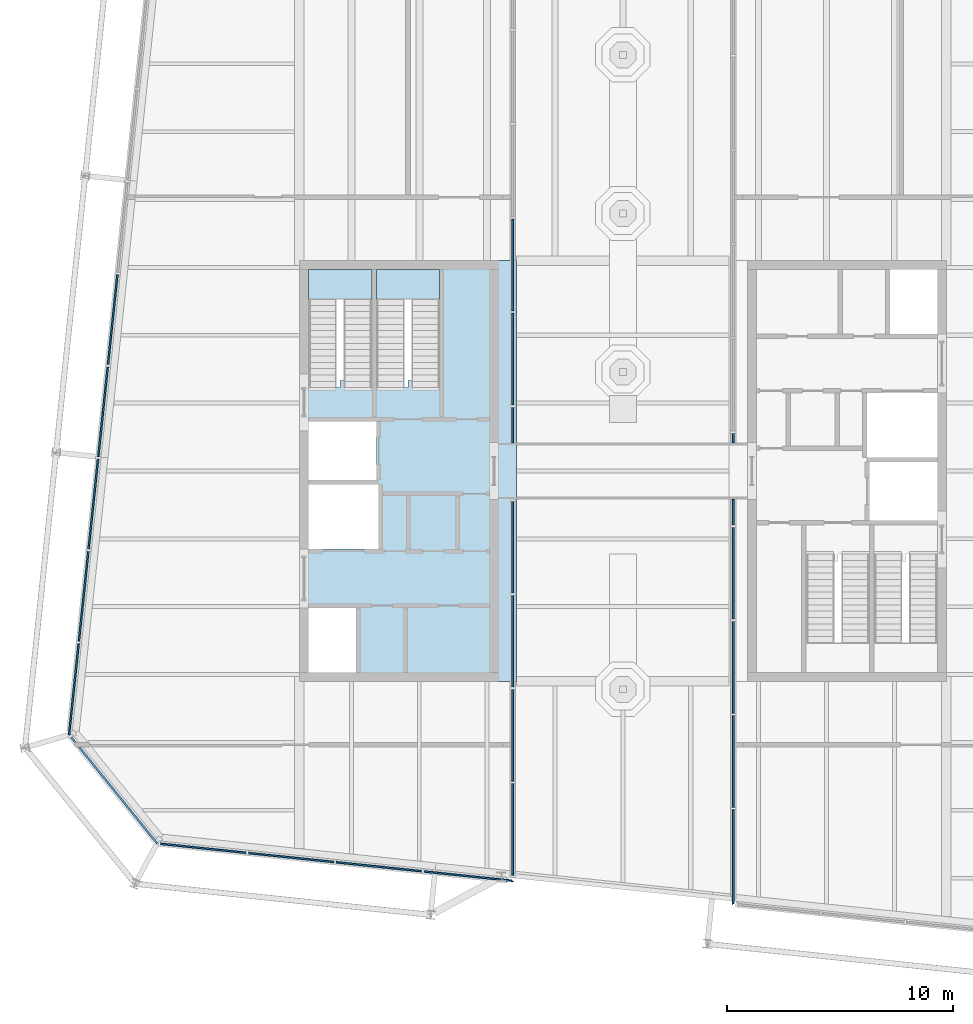
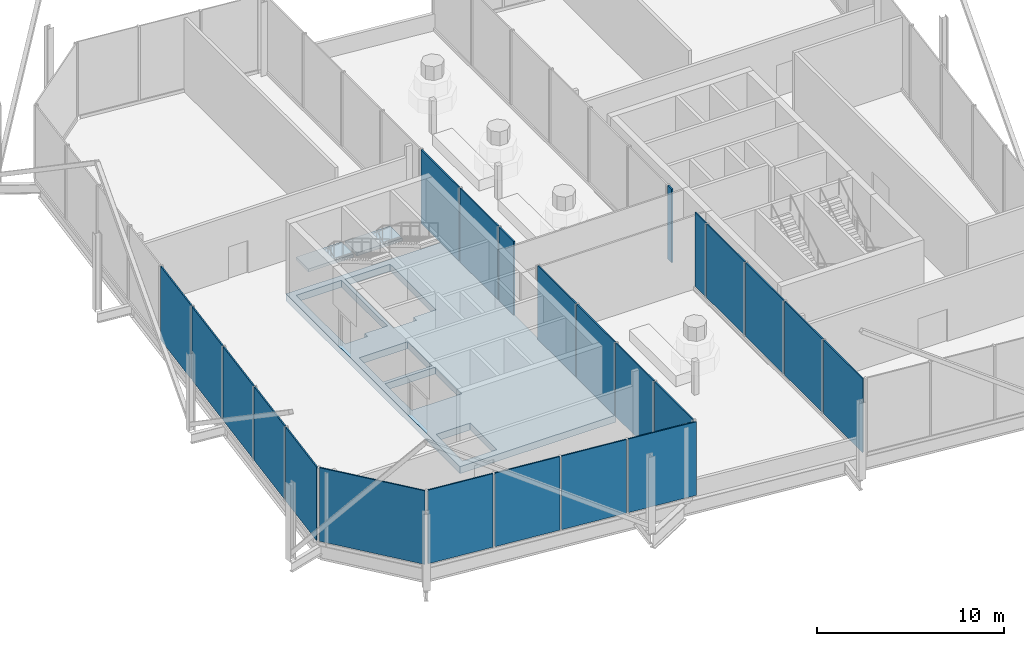
# One storey, part 8 of 14: 23 plates, 3 slabs, 7 elements without a shape of their own.
"""IFC4 building model written with IfcOpenShell, lengths in metres."""

import ifcopenshell
import ifcopenshell.guid

model = None  # the IFC model being written
_history = None  # IfcOwnerHistory: only IFC2X3 demands one
_inside = {}  # id of a spatial element -> (the spatial element, [elements in it])
_under = {}  # id of a project, library or spatial element -> (it, [spatial elements below it])
_declared = {}  # id of a project -> (the project, [libraries it declares])
_typed = {}  # id of a type object -> (the type object, [elements of that type])
_made_of = {}  # id of a material, layer set ... -> (it, [elements and type objects made of it])


def new_model(schema):
    """Start an empty IFC model of exactly this schema.

    Asked for "IFC4X3", IfcOpenShell would pick the latest addendum, in which some entities
    have other attributes; the version numbers below select the first issue.
    IFC2X3 requires an IfcOwnerHistory on every rooted entity: one is made here for all.
    """
    global model, _history
    if schema == "IFC4X3":
        model = ifcopenshell.file(schema_version=(4, 3, 0, 0))
    else:
        model = ifcopenshell.file(schema=schema)
    _inside.clear()
    _under.clear()
    _declared.clear()
    _typed.clear()
    _made_of.clear()
    _history = None
    if model.schema == "IFC2X3":
        org = make("IfcOrganization", Name="unknown")
        user = make(
            "IfcPersonAndOrganization",
            ThePerson=make("IfcPerson", FamilyName="unknown"),
            TheOrganization=org,
        )
        app = make(
            "IfcApplication",
            ApplicationDeveloper=org,
            Version="unknown",
            ApplicationFullName="unknown",
            ApplicationIdentifier="unknown",
        )
        _history = make(
            "IfcOwnerHistory",
            OwningUser=user,
            OwningApplication=app,
            ChangeAction="ADDED",
            CreationDate=0,
        )
    return model


def make(cls, **values):
    """One entity of the class cls with the attributes given. An attribute that is None is left unset."""
    return model.create_entity(
        cls, **{name: value for name, value in values.items() if value is not None}
    )


def rooted(cls, **values):
    """An entity with a GlobalId (a new one), such as an element, a storey or a relation."""
    return make(cls, GlobalId=ifcopenshell.guid.new(), OwnerHistory=_history, **values)


def si_unit(unit_type, name, prefix=None):
    """IfcSIUnit, for example si_unit("LENGTHUNIT", "METRE", prefix="MILLI")."""
    return make("IfcSIUnit", UnitType=unit_type, Prefix=prefix, Name=name)


def assignment(units):
    """IfcUnitAssignment: the units of a project."""
    return None if units is None else make("IfcUnitAssignment", Units=units)


def point(xyz):
    """IfcCartesianPoint."""
    return None if xyz is None else make("IfcCartesianPoint", Coordinates=xyz)


def direction(xyz):
    """IfcDirection."""
    return None if xyz is None else make("IfcDirection", DirectionRatios=xyz)


def frame(location, z_axis=None, x_axis=None):
    """IfcAxis2Placement3D, a coordinate frame: its origin and axes. An axis left out is left unset."""
    return make(
        "IfcAxis2Placement3D",
        Location=point(location),
        Axis=direction(z_axis),
        RefDirection=direction(x_axis),
    )


def origin():
    """The frame at (0, 0, 0) with its axes left unset."""
    return frame((0.0, 0.0, 0.0))


def place(relative_to, where):
    """IfcLocalPlacement: puts the frame where relative to a parent placement (None: the world)."""
    return make(
        "IfcLocalPlacement", PlacementRelTo=relative_to, RelativePlacement=where
    )


def context(
    kind, dimensions, precision=None, world=None, true_north=None, identifier=None
):
    """IfcGeometricRepresentationContext, for example the 3D "Model" context."""
    return make(
        "IfcGeometricRepresentationContext",
        ContextIdentifier=identifier,
        ContextType=kind,
        CoordinateSpaceDimension=dimensions,
        Precision=precision,
        WorldCoordinateSystem=world,
        TrueNorth=true_north,
    )


def subcontext(parent, identifier, kind, view, scale=None):
    """IfcGeometricRepresentationSubContext, for example "Body" below "Model"."""
    return make(
        "IfcGeometricRepresentationSubContext",
        ContextIdentifier=identifier,
        ContextType=kind,
        ParentContext=parent,
        TargetScale=scale,
        TargetView=view,
    )


def project(units=None, contexts=None):
    """IfcProject with its units and contexts."""
    return rooted(
        "IfcProject",
        Name="project",
        RepresentationContexts=contexts,
        UnitsInContext=assignment(units),
    )


def spatial(cls, under=None, at=None, **own):
    """A site, building, storey or space (cls), placed at a placement, below another one or the project."""
    s = rooted(cls, ObjectPlacement=at, **own)
    if under is not None:
        _under.setdefault(under.id(), (under, []))[1].append(s)
    return s


def polyline(points):
    """IfcPolyline through the points."""
    return make("IfcPolyline", Points=[point(p) for p in points])


def outline(outer, holes=None, kind="AREA"):
    """IfcArbitraryClosedProfileDef: a profile drawn as a closed curve; with holes, ...WithVoids."""
    if holes is None:
        return make("IfcArbitraryClosedProfileDef", ProfileType=kind, OuterCurve=outer)
    return make(
        "IfcArbitraryProfileDefWithVoids",
        ProfileType=kind,
        OuterCurve=outer,
        InnerCurves=holes,
    )


def extrude(swept, where, along, depth):
    """IfcExtrudedAreaSolid: the profile swept, set in the frame where, extruded along a direction by depth."""
    return make(
        "IfcExtrudedAreaSolid",
        SweptArea=swept,
        Position=where,
        ExtrudedDirection=direction(along),
        Depth=depth,
    )


def shape(context_of_items, identifier, shape_type, items):
    """IfcShapeRepresentation: the items that make up one representation, for example the "Body"."""
    return make(
        "IfcShapeRepresentation",
        ContextOfItems=context_of_items,
        RepresentationIdentifier=identifier,
        RepresentationType=shape_type,
        Items=items,
    )


def material(Name=None, Category=None):
    """IfcMaterial."""
    return make("IfcMaterial", Name=Name, Category=Category)


def layer(
    of_material, thickness, ventilated=None, Name=None, Category=None, Priority=None
):
    """IfcMaterialLayer: one layer of a wall or slab, of a material (None: an air gap)."""
    return make(
        "IfcMaterialLayer",
        Material=of_material,
        LayerThickness=thickness,
        IsVentilated=ventilated,
        Name=Name,
        Category=Category,
        Priority=Priority,
    )


def layer_set(layers, Name=None):
    """IfcMaterialLayerSet."""
    return make("IfcMaterialLayerSet", MaterialLayers=layers, LayerSetName=Name)


def made_of(thing, what):
    """Note that an element or type object is made of a material, layer set ...; save() writes the relation."""
    if what is not None:
        _made_of.setdefault(what.id(), (what, []))[1].append(thing)
    return thing


def type_object(cls, material=None, **own):
    """A type object (cls), such as IfcWallType, which elements share."""
    return made_of(rooted(cls, **own), material)


def element(
    cls,
    number,
    at=None,
    inside=None,
    cuts=None,
    type_object=None,
    material=None,
    context=None,
    identifier="Body",
    shape_type=None,
    held_by="IfcProductDefinitionShape",
    body=None,
    shapes=None,
    **own,
):
    """One element of the class cls, such as IfcWall. Its Tag is "e" and its number.

    at: its placement. inside: the storey or other place that contains it. cuts: it is an
    opening in that element (IfcRelVoidsElement). A single representation is given by context,
    identifier, shape_type and body (its items); several are given by shapes. held_by: the class
    of the entity that holds the representations. save() writes the other relations.
    """
    e = rooted(cls, Tag="e%d" % number, ObjectPlacement=at, **own)
    if body is not None:
        shapes = [shape(context, identifier, shape_type, body)]
    if shapes is not None:
        e.Representation = make(held_by, Representations=shapes)
    if inside is not None:
        _inside.setdefault(inside.id(), (inside, []))[1].append(e)
    if cuts is not None:
        rooted(
            "IfcRelVoidsElement", RelatingBuildingElement=cuts, RelatedOpeningElement=e
        )
    if type_object is not None:
        _typed.setdefault(type_object.id(), (type_object, []))[1].append(e)
    return made_of(e, material)


def aggregate(whole, parts):
    """IfcRelAggregates: a whole, such as a stair, and the parts it consists of."""
    return rooted("IfcRelAggregates", RelatingObject=whole, RelatedObjects=parts)


def save(model, path):
    """Write the relations noted so far, then the file.

    IfcRelAggregates (storeys below a building ...), IfcRelContainedInSpatialStructure (elements
    in a storey), IfcRelDefinesByType, IfcRelAssociatesMaterial and IfcRelDeclares: one each for
    every whole, place, type object, material and project.
    """
    for whole, parts in _under.values():
        aggregate(whole, parts)
    for where, things in _inside.values():
        rooted(
            "IfcRelContainedInSpatialStructure",
            RelatedElements=things,
            RelatingStructure=where,
        )
    for kind, things in _typed.values():
        rooted("IfcRelDefinesByType", RelatedObjects=things, RelatingType=kind)
    for what, things in _made_of.values():
        rooted("IfcRelAssociatesMaterial", RelatedObjects=things, RelatingMaterial=what)
    for by, libraries in _declared.values():
        rooted("IfcRelDeclares", RelatingContext=by, RelatedDefinitions=libraries)
    model.write(path)


model = new_model("IFC4")

# Units and contexts
model_context = context("Model", 3, precision=1e-05, world=origin(), true_north=direction((0.0, 1.0)))
body_context = subcontext(model_context, "Body", "Model", "MODEL_VIEW")
ifc_project = project(units=[si_unit("LENGTHUNIT", "METRE"), si_unit("AREAUNIT", "SQUARE_METRE"), si_unit("VOLUMEUNIT", "CUBIC_METRE"), si_unit("PLANEANGLEUNIT", "RADIAN"), si_unit("MASSUNIT", "GRAM", prefix="KILO")], contexts=[model_context])

# Site, building, storey
site_placement = place(None, origin())
site = spatial("IfcSite", under=ifc_project, at=site_placement, CompositionType="ELEMENT")
building_placement = place(site_placement, origin())
building = spatial("IfcBuilding", under=site, at=building_placement, Name="Millrace Tower", CompositionType="ELEMENT")
storey_placement = place(building_placement, frame((0.0, 0.0, 342.10009765625)))
storey = spatial("IfcBuildingStorey", under=building, at=storey_placement, Name="L79", CompositionType="ELEMENT", Elevation=342.10009765625)

# Curtain wall, plates
ifc_material_1 = material(Name="Aluminium and glass", Category="aluminium")
ifc_layer_1 = layer(ifc_material_1, 0.25)
ifc_layer_set_1 = layer_set([ifc_layer_1], Name="Aluminium and glass")
curtain_wall_type = type_object("IfcCurtainWallType", Name="CW-7 crown louvred enclosure", PredefinedType="NOTDEFINED", material=ifc_layer_set_1)
placement_1 = place(storey_placement, origin())
curtain_wall_1 = element("IfcCurtainWall", 1, at=placement_1, inside=storey, type_object=curtain_wall_type, Name="Curtain wall CW-F01 L79", PredefinedType="NOTDEFINED")
ifc_material_2 = material(Name="Glass", Category="glass")
ifc_layer_2 = layer(ifc_material_2, 0.080078125)
ifc_layer_set_2 = layer_set([ifc_layer_2], Name="Glass")
plate_type = type_object("IfcPlateType", Name="CW-7 crown louvred enclosure fixed louvre panel", PredefinedType="CURTAIN_PANEL", material=ifc_layer_set_2)
placement_2 = place(storey_placement, frame((0.0, 0.0, 0.199951171875)))
plate_1 = element("IfcPlate", 2, at=placement_2, type_object=plate_type, Name="CW7 panel CW-F01.1", PredefinedType="CURTAIN_PANEL", context=body_context, shape_type="SweptSolid", body=[
    extrude(outline(polyline([(-4.8349609375, -17.878662109375), (-4.8349609375, -13.819580078125), (-4.9150390625, -13.819580078125), (-4.9150390625, -17.878662109375), (-4.8349609375, -17.878662109375)])), origin(), (0.0, 0.0, 1.0), 4.800048828125),
])
plate_2 = element("IfcPlate", 3, at=placement_2, type_object=plate_type, Name="CW7 panel CW-F01.2", PredefinedType="CURTAIN_PANEL", context=body_context, shape_type="SweptSolid", body=[
    extrude(outline(polyline([(-4.8349609375, -13.7197265625), (-4.8349609375, -9.660400390625), (-4.9150390625, -9.660400390625), (-4.9150390625, -13.7197265625), (-4.8349609375, -13.7197265625)])), origin(), (0.0, 0.0, 1.0), 4.800048828125),
])
plate_3 = element("IfcPlate", 4, at=placement_2, type_object=plate_type, Name="CW7 panel CW-F01.3", PredefinedType="CURTAIN_PANEL", context=body_context, shape_type="SweptSolid", body=[
    extrude(outline(polyline([(-4.8349609375, -9.560546875), (-4.8349609375, -5.501220703125), (-4.9150390625, -5.501220703125), (-4.9150390625, -9.560546875), (-4.8349609375, -9.560546875)])), origin(), (0.0, 0.0, 1.0), 4.800048828125),
])
plate_4 = element("IfcPlate", 5, at=placement_2, type_object=plate_type, Name="CW7 panel CW-F01.4", PredefinedType="CURTAIN_PANEL", context=body_context, shape_type="SweptSolid", body=[
    extrude(outline(polyline([(-4.8349609375, -5.4013671875), (-4.8349609375, -1.34228515625), (-4.9150390625, -1.34228515625), (-4.9150390625, -5.4013671875), (-4.8349609375, -5.4013671875)])), origin(), (0.0, 0.0, 1.0), 4.800048828125),
])
plate_5 = element("IfcPlate", 6, at=placement_2, type_object=plate_type, Name="CW7 panel CW-F01.6", PredefinedType="CURTAIN_PANEL", context=body_context, shape_type="SweptSolid", body=[
    extrude(outline(polyline([(-4.8349609375, 2.9169921875), (-4.8349609375, 6.97607421875), (-4.9150390625, 6.97607421875), (-4.9150390625, 2.9169921875), (-4.8349609375, 2.9169921875)])), origin(), (0.0, 0.0, 1.0), 4.800048828125),
])
plate_6 = element("IfcPlate", 7, at=placement_2, type_object=plate_type, Name="CW7 panel CW-F01.7", PredefinedType="CURTAIN_PANEL", context=body_context, shape_type="SweptSolid", body=[
    extrude(outline(polyline([(-4.8349609375, 7.076171875), (-4.8349609375, 11.13525390625), (-4.9150390625, 11.13525390625), (-4.9150390625, 7.076171875), (-4.8349609375, 7.076171875)])), origin(), (0.0, 0.0, 1.0), 4.800048828125),
])

curtain_wall_2 = element("IfcCurtainWall", 8, at=placement_1, inside=storey, type_object=curtain_wall_type, Name="Curtain wall CW-F04 L79", PredefinedType="NOTDEFINED")
plate_7 = element("IfcPlate", 9, at=placement_2, type_object=plate_type, Name="CW7 panel CW-F04.5", PredefinedType="CURTAIN_PANEL", context=body_context, shape_type="SweptSolid", body=[
    extrude(outline(polyline([(-22.3857421875, 8.6845703125), (-22.8037109375, 4.70654296875), (-22.72412109375, 4.6982421875), (-22.30615234375, 8.67626953125), (-22.3857421875, 8.6845703125)])), origin(), (0.0, 0.0, 1.0), 4.800048828125),
])
plate_8 = element("IfcPlate", 10, at=placement_2, type_object=plate_type, Name="CW7 panel CW-F04.6", PredefinedType="CURTAIN_PANEL", context=body_context, shape_type="SweptSolid", body=[
    extrude(outline(polyline([(-22.814208984375, 4.60693359375), (-23.232421875, 0.62890625), (-23.15283203125, 0.62060546875), (-22.734619140625, 4.5986328125), (-22.814208984375, 4.60693359375)])), origin(), (0.0, 0.0, 1.0), 4.800048828125),
])
plate_9 = element("IfcPlate", 11, at=placement_2, type_object=plate_type, Name="CW7 panel CW-F04.7", PredefinedType="CURTAIN_PANEL", context=body_context, shape_type="SweptSolid", body=[
    extrude(outline(polyline([(-23.24267578125, 0.529541015625), (-23.660888671875, -3.448486328125), (-23.581298828125, -3.45703125), (-23.163330078125, 0.521240234375), (-23.24267578125, 0.529541015625)])), origin(), (0.0, 0.0, 1.0), 4.800048828125),
])
plate_10 = element("IfcPlate", 12, at=placement_2, type_object=plate_type, Name="CW7 panel CW-F04.8", PredefinedType="CURTAIN_PANEL", context=body_context, shape_type="SweptSolid", body=[
    extrude(outline(polyline([(-23.67138671875, -3.548095703125), (-24.08935546875, -7.526123046875), (-24.010009765625, -7.534423828125), (-23.591796875, -3.556396484375), (-23.67138671875, -3.548095703125)])), origin(), (0.0, 0.0, 1.0), 4.800048828125),
])
plate_11 = element("IfcPlate", 13, at=placement_2, type_object=plate_type, Name="CW7 panel CW-F04.9", PredefinedType="CURTAIN_PANEL", context=body_context, shape_type="SweptSolid", body=[
    extrude(outline(polyline([(-24.099853515625, -7.62548828125), (-24.525146484375, -11.671630859375), (-24.442138671875, -11.64697265625), (-24.020263671875, -7.634033203125), (-24.099853515625, -7.62548828125)])), origin(), (0.0, 0.0, 1.0), 4.800048828125),
])
aggregate(curtain_wall_2, [plate_7, plate_8, plate_9, plate_10, plate_11])

# Curtain wall, plate
curtain_wall_3 = element("IfcCurtainWall", 14, at=placement_1, inside=storey, type_object=curtain_wall_type, Name="Curtain wall CW-F05 L79", PredefinedType="NOTDEFINED")
plate_12 = element("IfcPlate", 15, at=placement_2, type_object=plate_type, Name="CW7 panel CW-F05.1", PredefinedType="CURTAIN_PANEL", context=body_context, shape_type="SweptSolid", body=[
    extrude(outline(polyline([(-24.419189453125, -11.802490234375), (-20.612060546875, -16.503662109375), (-20.57080078125, -16.427734375), (-24.35693359375, -11.752197265625), (-24.419189453125, -11.802490234375)])), origin(), (0.0, 0.0, 1.0), 4.800048828125),
])
aggregate(curtain_wall_3, [plate_12])

# Curtain wall, plates
curtain_wall_4 = element("IfcCurtainWall", 16, at=placement_1, inside=storey, type_object=curtain_wall_type, Name="Curtain wall CW-F06 L79", PredefinedType="NOTDEFINED")
plate_13 = element("IfcPlate", 17, at=placement_2, type_object=plate_type, Name="CW7 panel CW-F06.1", PredefinedType="CURTAIN_PANEL", context=body_context, shape_type="SweptSolid", body=[
    extrude(outline(polyline([(-20.44482421875, -16.521484375), (-16.662353515625, -16.9189453125), (-16.654052734375, -16.83935546875), (-20.436279296875, -16.44189453125), (-20.44482421875, -16.521484375)])), origin(), (0.0, 0.0, 1.0), 4.800048828125),
])
plate_14 = element("IfcPlate", 18, at=placement_2, type_object=plate_type, Name="CW7 panel CW-F06.2", PredefinedType="CURTAIN_PANEL", context=body_context, shape_type="SweptSolid", body=[
    extrude(outline(polyline([(-16.56298828125, -16.929443359375), (-12.78076171875, -17.326904296875), (-12.7724609375, -17.247314453125), (-16.5546875, -16.849853515625), (-16.56298828125, -16.929443359375)])), origin(), (0.0, 0.0, 1.0), 4.800048828125),
])
plate_15 = element("IfcPlate", 19, at=placement_2, type_object=plate_type, Name="CW7 panel CW-F06.3", PredefinedType="CURTAIN_PANEL", context=body_context, shape_type="SweptSolid", body=[
    extrude(outline(polyline([(-12.68115234375, -17.33740234375), (-8.89892578125, -17.73486328125), (-8.890625, -17.6552734375), (-12.6728515625, -17.2578125), (-12.68115234375, -17.33740234375)])), origin(), (0.0, 0.0, 1.0), 4.800048828125),
])
plate_16 = element("IfcPlate", 20, at=placement_2, type_object=plate_type, Name="CW7 panel CW-F06.4", PredefinedType="CURTAIN_PANEL", context=body_context, shape_type="SweptSolid", body=[
    extrude(outline(polyline([(-8.799560546875, -17.745361328125), (-4.8349609375, -18.162109375), (-4.9150390625, -18.0732421875), (-8.791259765625, -17.665771484375), (-8.799560546875, -17.745361328125)])), origin(), (0.0, 0.0, 1.0), 4.800048828125),
])
aggregate(curtain_wall_4, [plate_13, plate_14, plate_15, plate_16])

curtain_wall_5 = element("IfcCurtainWall", 21, at=placement_1, inside=storey, type_object=curtain_wall_type, Name="Curtain wall CE-F01 L79", PredefinedType="NOTDEFINED")
plate_17 = element("IfcPlate", 22, at=placement_2, type_object=plate_type, Name="CW7 panel CE-F01.8", PredefinedType="CURTAIN_PANEL", context=body_context, shape_type="SweptSolid", body=[
    extrude(outline(polyline([(4.8349609375, -2.4931640625), (4.8349609375, -6.552490234375), (4.9150390625, -6.552490234375), (4.9150390625, -2.4931640625), (4.8349609375, -2.4931640625)])), origin(), (0.0, 0.0, 1.0), 4.800048828125),
])
plate_18 = element("IfcPlate", 23, at=placement_2, type_object=plate_type, Name="CW7 panel CE-F01.9", PredefinedType="CURTAIN_PANEL", context=body_context, shape_type="SweptSolid", body=[
    extrude(outline(polyline([(4.8349609375, -6.65234375), (4.8349609375, -10.71142578125), (4.9150390625, -10.71142578125), (4.9150390625, -6.65234375), (4.8349609375, -6.65234375)])), origin(), (0.0, 0.0, 1.0), 4.800048828125),
])
plate_19 = element("IfcPlate", 24, at=placement_2, type_object=plate_type, Name="CW7 panel CE-F01.10", PredefinedType="CURTAIN_PANEL", context=body_context, shape_type="SweptSolid", body=[
    extrude(outline(polyline([(4.8349609375, -10.8115234375), (4.8349609375, -14.87060546875), (4.9150390625, -14.87060546875), (4.9150390625, -10.8115234375), (4.8349609375, -10.8115234375)])), origin(), (0.0, 0.0, 1.0), 4.800048828125),
])
plate_20 = element("IfcPlate", 25, at=placement_2, type_object=plate_type, Name="CW7 panel CE-F01.11", PredefinedType="CURTAIN_PANEL", context=body_context, shape_type="SweptSolid", body=[
    extrude(outline(polyline([(4.8349609375, -14.970703125), (4.8349609375, -19.178466796875), (4.9150390625, -19.1064453125), (4.9150390625, -14.970703125), (4.8349609375, -14.970703125)])), origin(), (0.0, 0.0, 1.0), 4.800048828125),
])

# Plate
plate_21 = element("IfcPlate", 26, at=placement_2, type_object=plate_type, Name="CW7 panel CW-F01.5", PredefinedType="CURTAIN_PANEL", context=body_context, shape_type="SweptSolid", body=[
    extrude(outline(polyline([(-4.8349609375, 1.239990234375), (-4.8349609375, 2.81689453125), (-4.9150390625, 2.81689453125), (-4.9150390625, 1.239990234375), (-4.8349609375, 1.239990234375)])), origin(), (0.0, 0.0, 1.0), 4.800048828125),
])

aggregate(curtain_wall_1, [plate_1, plate_2, plate_3, plate_4, plate_5, plate_6, plate_21])

plate_22 = element("IfcPlate", 27, at=placement_2, type_object=plate_type, Name="CW7 panel CE-F01.7", PredefinedType="CURTAIN_PANEL", context=body_context, shape_type="SweptSolid", body=[
    extrude(outline(polyline([(4.8349609375, -1.239990234375), (4.8349609375, -2.393310546875), (4.9150390625, -2.393310546875), (4.9150390625, -1.239990234375), (4.8349609375, -1.239990234375)])), origin(), (0.0, 0.0, 1.0), 4.800048828125),
])

plate_23 = element("IfcPlate", 28, at=placement_2, type_object=plate_type, Name="CW7 panel CE-F01.7", PredefinedType="CURTAIN_PANEL", context=body_context, shape_type="SweptSolid", body=[
    extrude(outline(polyline([(4.8349609375, 1.666015625), (4.8349609375, 1.239990234375), (4.9150390625, 1.239990234375), (4.9150390625, 1.666015625), (4.8349609375, 1.666015625)])), origin(), (0.0, 0.0, 1.0), 4.800048828125),
])

aggregate(curtain_wall_5, [plate_17, plate_18, plate_19, plate_20, plate_22, plate_23])

# Stair, slab
ifc_material_3 = material(Name="Concrete C35", Category="concrete")
stair_type = type_object("IfcStairType", Name="Exit stair", PredefinedType="HALF_TURN_STAIR", material=ifc_material_3)
stair_1 = element("IfcStair", 29, at=placement_1, inside=storey, type_object=stair_type, Name="Stair 1 W L79", PredefinedType="HALF_TURN_STAIR")
ifc_material_4 = material(Name="Concrete C40", Category="concrete")
ifc_layer_3 = layer(ifc_material_4, 0.199951171875)
ifc_layer_set_3 = layer_set([ifc_layer_3], Name="Concrete C40")
slab_type_1 = type_object("IfcSlabType", Name="Stair landing", PredefinedType="LANDING", material=ifc_layer_set_3)
placement_3 = place(storey_placement, frame((0.0, 0.0, 2.2998046875)))
slab_1 = element("IfcSlab", 30, at=placement_3, type_object=slab_type_1, Name="ST12 landing 1", PredefinedType="LANDING", context=body_context, shape_type="SweptSolid", body=[
    extrude(outline(polyline([(-13.89990234375, 7.60009765625), (-11.10009765625, 7.60009765625), (-11.10009765625, 8.89990234375), (-13.89990234375, 8.89990234375), (-13.89990234375, 7.60009765625)])), origin(), (0.0, 0.0, 1.0), 0.2001953125),
])
aggregate(stair_1, [slab_1])

stair_2 = element("IfcStair", 31, at=placement_1, inside=storey, type_object=stair_type, Name="Stair 2 W L79", PredefinedType="HALF_TURN_STAIR")
slab_2 = element("IfcSlab", 32, at=placement_3, type_object=slab_type_1, Name="ST12 landing 1", PredefinedType="LANDING", context=body_context, shape_type="SweptSolid", body=[
    extrude(outline(polyline([(-10.89990234375, 7.60009765625), (-8.10009765625, 7.60009765625), (-8.10009765625, 8.89990234375), (-10.89990234375, 8.89990234375), (-10.89990234375, 7.60009765625)])), origin(), (0.0, 0.0, 1.0), 0.2001953125),
])
aggregate(stair_2, [slab_2])

# Slab
ifc_material_5 = material(Name="Concrete C60", Category="concrete")
ifc_layer_4 = layer(ifc_material_5, 0.449951171875)
ifc_layer_set_4 = layer_set([ifc_layer_4], Name="Concrete C60")
slab_type_2 = type_object("IfcSlabType", Name="Transfer floor slab 450 mm", PredefinedType="FLOOR", material=ifc_layer_set_4)
slab_3_placement = place(storey_placement, frame((0.0, 0.0, -0.4501953125)))
element("IfcSlab", 33, at=slab_3_placement, inside=storey, type_object=slab_type_2, Name="SL-CROWN-L79-TW", PredefinedType="FLOOR", context=body_context, shape_type="SweptSolid", body=[
    extrude(outline(polyline([(-14.300048828125, -9.300048828125), (-4.699951171875, -9.300048828125), (-4.699951171875, 9.300048828125), (-14.300048828125, 9.300048828125), (-14.300048828125, -9.300048828125)]), holes=[polyline([(-13.89990234375, -8.89990234375), (-11.800048828125, -8.89990234375), (-11.800048828125, -6.050048828125), (-13.89990234375, -6.050048828125), (-13.89990234375, -8.89990234375)]), polyline([(-13.89990234375, -3.449951171875), (-10.800048828125, -3.449951171875), (-10.800048828125, -0.60009765625), (-13.89990234375, -0.60009765625), (-13.89990234375, -3.449951171875)]), polyline([(-13.89990234375, -0.39990234375), (-10.89990234375, -0.39990234375), (-10.89990234375, 2.179931640625), (-13.89990234375, 2.179931640625), (-13.89990234375, -0.39990234375)]), polyline([(-12.5, 3.679931640625), (-12.5, 4.0), (-11.10009765625, 4.0), (-11.10009765625, 8.89990234375), (-12.5, 8.89990234375), (-13.89990234375, 8.89990234375), (-13.89990234375, 3.679931640625), (-12.5, 3.679931640625)]), polyline([(-9.5, 3.679931640625), (-9.5, 4.0), (-8.10009765625, 4.0), (-8.10009765625, 8.89990234375), (-9.5, 8.89990234375), (-10.89990234375, 8.89990234375), (-10.89990234375, 3.679931640625), (-9.5, 3.679931640625)])]), origin(), (0.0, 0.0, 1.0), 0.4501953125),
])

save(model, "model.ifc")
